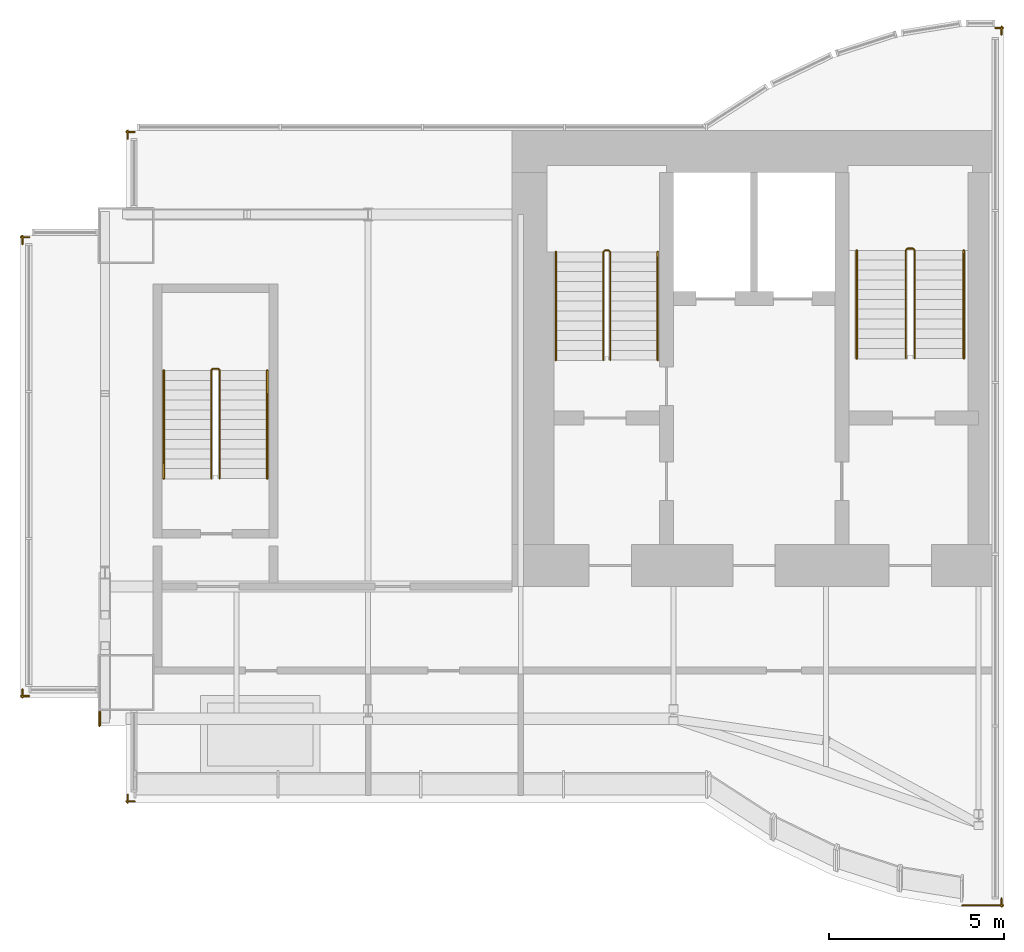
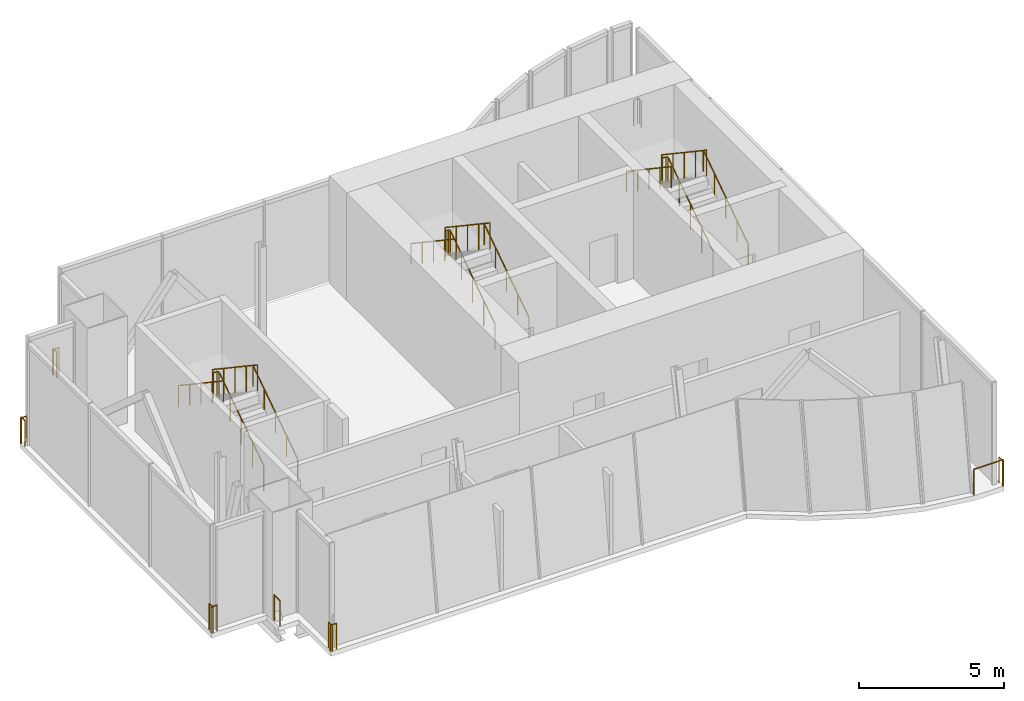
# One storey, part 5 of 6: 16 railings.
"""IFC4 building model written with IfcOpenShell, lengths in metres."""

from ifc_helpers import new_model, si_unit, direction, frame, origin, origin_2d, place, context, subcontext, project, spatial, circle, extrude, material, type_object, element, save


model = new_model("IFC4")

# Units and contexts
model_context = context("Model", 3, precision=1e-05, world=origin(), true_north=direction((0.0, 1.0)))
body_context = subcontext(model_context, "Body", "Model", "MODEL_VIEW")
ifc_project = project(units=[si_unit("LENGTHUNIT", "METRE"), si_unit("AREAUNIT", "SQUARE_METRE"), si_unit("VOLUMEUNIT", "CUBIC_METRE"), si_unit("PLANEANGLEUNIT", "RADIAN"), si_unit("MASSUNIT", "GRAM", prefix="KILO")], contexts=[model_context])

# Site, building, storey
site_placement = place(None, origin())
site = spatial("IfcSite", under=ifc_project, at=site_placement, CompositionType="ELEMENT")
building_placement = place(site_placement, origin())
building = spatial("IfcBuilding", under=site, at=building_placement, Name="Bicima Exchange Tower", CompositionType="ELEMENT")
storey_placement = place(building_placement, frame((0.0, 0.0, 374.89990234375)))
storey = spatial("IfcBuildingStorey", under=building, at=storey_placement, Name="L84", CompositionType="ELEMENT", Elevation=374.89990234375)

# Railings
ifc_material_1 = material(Name="Stainless steel and bonded safety glass", Category="steel")
railing_type_1 = type_object("IfcRailingType", Name="Edge guard 1100", PredefinedType="GUARDRAIL", material=ifc_material_1)
railing_1_placement = place(storey_placement, frame((-35.756103515625, -16.123046875, 0.0)))
element("IfcRailing", 1, at=railing_1_placement, inside=storey, type_object=railing_type_1, Name="Edge guard L84 466", PredefinedType="GUARDRAIL", context=body_context, shape_type="SweptSolid", body=[
    extrude(circle(Radius=0.02392578125, at=origin_2d()), frame((0.0, 0.0, 1.076171875), z_axis=(-1.0, 0.0, 0.0), x_axis=(0.0, -1.0, 0.0)), (0.0, 0.0, 1.0), 0.243896484375),
    extrude(circle(Radius=0.02392578125, at=origin_2d()), frame((-0.243896484375, 0.0, 1.076171875), z_axis=(0.707106781187, -0.707106781187, 0.0), x_axis=(0.707106781187, 0.707106781187, 0.0)), (0.0, 0.0, 1.0), 0.07080078125),
    extrude(circle(Radius=0.02392578125, at=origin_2d()), frame((-0.19384765625, -0.050048828125, 1.076171875), z_axis=(0.0, 1.0, 0.0), x_axis=(-1.0, 0.0, 0.0)), (0.0, 0.0, 1.0), 0.248046875),
    extrude(circle(Radius=0.02099609375, at=origin_2d()), origin(), (0.0, 0.0, 1.0), 1.052001953125),
    extrude(circle(Radius=0.02099609375, at=origin_2d()), frame((-0.243896484375, 0.0, 0.0)), (0.0, 0.0, 1.0), 1.052001953125),
    extrude(circle(Radius=0.02099609375, at=origin_2d()), frame((-0.19384765625, -0.050048828125, 0.0)), (0.0, 0.0, 1.0), 1.052001953125),
    extrude(circle(Radius=0.02099609375, at=origin_2d()), frame((-0.19384765625, 0.197998046875, 0.0)), (0.0, 0.0, 1.0), 1.052001953125),
])
railing_2_placement = place(storey_placement, frame((-35.949951171875, -3.2490234375, 0.0)))
element("IfcRailing", 2, at=railing_2_placement, inside=storey, type_object=railing_type_1, Name="Edge guard L84 467", PredefinedType="GUARDRAIL", context=body_context, shape_type="SweptSolid", body=[
    extrude(circle(Radius=0.02392578125, at=origin_2d()), frame((0.0, 0.0, 1.076171875), z_axis=(0.0, 1.0, 0.0), x_axis=(-1.0, 0.0, 0.0)), (0.0, 0.0, 1.0), 0.2490234375),
    extrude(circle(Radius=0.02392578125, at=origin_2d()), frame((0.0, 0.2490234375, 1.076171875), z_axis=(-0.707106781187, -0.707106781187, 0.0), x_axis=(0.707106781187, -0.707106781187, 0.0)), (0.0, 0.0, 1.0), 0.07080078125),
    extrude(circle(Radius=0.02392578125, at=origin_2d()), frame((-0.050048828125, 0.198974609375, 1.076171875), z_axis=(1.0, 0.0, 0.0), x_axis=(0.0, 1.0, 0.0)), (0.0, 0.0, 1.0), 0.243896484375),
    extrude(circle(Radius=0.02099609375, at=origin_2d()), origin(), (0.0, 0.0, 1.0), 1.052001953125),
    extrude(circle(Radius=0.02099609375, at=origin_2d()), frame((0.0, 0.2490234375, 0.0)), (0.0, 0.0, 1.0), 1.052001953125),
    extrude(circle(Radius=0.02099609375, at=origin_2d()), frame((-0.050048828125, 0.198974609375, 0.0)), (0.0, 0.0, 1.0), 1.052001953125),
    extrude(circle(Radius=0.02099609375, at=origin_2d()), frame((0.19384765625, 0.198974609375, 0.0)), (0.0, 0.0, 1.0), 1.052001953125),
])
railing_3_placement = place(storey_placement, frame((-32.949951171875, -0.243896484375, 0.0)))
element("IfcRailing", 3, at=railing_3_placement, inside=storey, type_object=railing_type_1, Name="Edge guard L84 468", PredefinedType="GUARDRAIL", context=body_context, shape_type="SweptSolid", body=[
    extrude(circle(Radius=0.02392578125, at=origin_2d()), frame((0.0, 0.0, 1.076171875), z_axis=(0.0, 1.0, 0.0), x_axis=(-1.0, 0.0, 0.0)), (0.0, 0.0, 1.0), 0.243896484375),
    extrude(circle(Radius=0.02392578125, at=origin_2d()), frame((0.0, 0.243896484375, 1.076171875), z_axis=(-0.707106781187, -0.707106781187, 0.0), x_axis=(0.707106781187, -0.707106781187, 0.0)), (0.0, 0.0, 1.0), 0.07080078125),
    extrude(circle(Radius=0.02392578125, at=origin_2d()), frame((-0.050048828125, 0.19384765625, 1.076171875), z_axis=(1.0, 0.0, 0.0), x_axis=(0.0, 1.0, 0.0)), (0.0, 0.0, 1.0), 0.25),
    extrude(circle(Radius=0.02099609375, at=origin_2d()), origin(), (0.0, 0.0, 1.0), 1.052001953125),
    extrude(circle(Radius=0.02099609375, at=origin_2d()), frame((0.0, 0.243896484375, 0.0)), (0.0, 0.0, 1.0), 1.052001953125),
    extrude(circle(Radius=0.02099609375, at=origin_2d()), frame((-0.050048828125, 0.19384765625, 0.0)), (0.0, 0.0, 1.0), 1.052001953125),
    extrude(circle(Radius=0.02099609375, at=origin_2d()), frame((0.199951171875, 0.19384765625, 0.0)), (0.0, 0.0, 1.0), 1.052001953125),
])
railing_4_placement = place(storey_placement, frame((-8.23291015625, 2.9130859375, 0.0)))
element("IfcRailing", 4, at=railing_4_placement, inside=storey, type_object=railing_type_1, Name="Edge guard L84 469", PredefinedType="GUARDRAIL", context=body_context, shape_type="SweptSolid", body=[
    extrude(circle(Radius=0.02392578125, at=origin_2d()), frame((0.0, 0.0, 1.076171875), z_axis=(1.0, 0.0, 0.0), x_axis=(0.0, 1.0, 0.0)), (0.0, 0.0, 1.0), 0.23291015625),
    extrude(circle(Radius=0.02392578125, at=origin_2d()), frame((0.23291015625, 0.0, 1.076171875), z_axis=(-0.708833529934, 0.705375805398, 0.0), x_axis=(-0.705375805398, -0.708833529934, 0.0)), (0.0, 0.0, 1.0), 0.070556640625),
    extrude(circle(Radius=0.02392578125, at=origin_2d()), frame((0.182861328125, 0.0498046875, 1.076171875), z_axis=(0.0, -1.0, 0.0), x_axis=(1.0, 0.0, 0.0)), (0.0, 0.0, 1.0), 0.248779296875),
    extrude(circle(Radius=0.02099609375, at=origin_2d()), origin(), (0.0, 0.0, 1.0), 1.052001953125),
    extrude(circle(Radius=0.02099609375, at=origin_2d()), frame((0.23291015625, 0.0, 0.0)), (0.0, 0.0, 1.0), 1.052001953125),
    extrude(circle(Radius=0.02099609375, at=origin_2d()), frame((0.182861328125, 0.0498046875, 0.0)), (0.0, 0.0, 1.0), 1.052001953125),
    extrude(circle(Radius=0.02099609375, at=origin_2d()), frame((0.182861328125, -0.198974609375, 0.0)), (0.0, 0.0, 1.0), 1.052001953125),
])
railing_5_placement = place(storey_placement, frame((-8.050048828125, -21.887939453125, 0.0)))
element("IfcRailing", 5, at=railing_5_placement, inside=storey, type_object=railing_type_1, Name="Edge guard L84 470", PredefinedType="GUARDRAIL", context=body_context, shape_type="SweptSolid", body=[
    extrude(circle(Radius=0.02392578125, at=origin_2d()), frame((0.0, 0.0, 1.076171875), z_axis=(0.0, -1.0, 0.0), x_axis=(1.0, 0.0, 0.0)), (0.0, 0.0, 1.0), 0.248046875),
    extrude(circle(Radius=0.02392578125, at=origin_2d()), frame((0.0, -0.248046875, 1.076171875), z_axis=(0.707106781187, 0.707106781187, 0.0), x_axis=(-0.707106781187, 0.707106781187, 0.0)), (0.0, 0.0, 1.0), 0.07080078125),
    extrude(circle(Radius=0.02392578125, at=origin_2d()), frame((0.050048828125, -0.197998046875, 1.076171875), z_axis=(-1.0, 0.0, 0.0), x_axis=(0.0, -1.0, 0.0)), (0.0, 0.0, 1.0), 1.1669921875),
    extrude(circle(Radius=0.02099609375, at=origin_2d()), origin(), (0.0, 0.0, 1.0), 1.052001953125),
    extrude(circle(Radius=0.02099609375, at=origin_2d()), frame((0.0, -0.248046875, 0.0)), (0.0, 0.0, 1.0), 1.052001953125),
    extrude(circle(Radius=0.02099609375, at=origin_2d()), frame((0.050048828125, -0.197998046875, 0.0)), (0.0, 0.0, 1.0), 1.052001953125),
    extrude(circle(Radius=0.02099609375, at=origin_2d()), frame((-1.116943359375, -0.197998046875, 0.0)), (0.0, 0.0, 1.0), 1.052001953125),
])
railing_6_placement = place(storey_placement, frame((-32.75, -19.123046875, 0.0)))
element("IfcRailing", 6, at=railing_6_placement, inside=storey, type_object=railing_type_1, Name="Edge guard L84 471", PredefinedType="GUARDRAIL", context=body_context, shape_type="SweptSolid", body=[
    extrude(circle(Radius=0.02392578125, at=origin_2d()), frame((0.0, 0.0, 1.076171875), z_axis=(-1.0, 0.0, 0.0), x_axis=(0.0, -1.0, 0.0)), (0.0, 0.0, 1.0), 0.25),
    extrude(circle(Radius=0.02392578125, at=origin_2d()), frame((-0.25, 0.0, 1.076171875), z_axis=(0.707106781187, -0.707106781187, 0.0), x_axis=(0.707106781187, 0.707106781187, 0.0)), (0.0, 0.0, 1.0), 0.07080078125),
    extrude(circle(Radius=0.02392578125, at=origin_2d()), frame((-0.199951171875, -0.050048828125, 1.076171875), z_axis=(0.0, 1.0, 0.0), x_axis=(-1.0, 0.0, 0.0)), (0.0, 0.0, 1.0), 0.244140625),
    extrude(circle(Radius=0.02099609375, at=origin_2d()), origin(), (0.0, 0.0, 1.0), 1.052001953125),
    extrude(circle(Radius=0.02099609375, at=origin_2d()), frame((-0.25, 0.0, 0.0)), (0.0, 0.0, 1.0), 1.052001953125),
    extrude(circle(Radius=0.02099609375, at=origin_2d()), frame((-0.199951171875, -0.050048828125, 0.0)), (0.0, 0.0, 1.0), 1.052001953125),
    extrude(circle(Radius=0.02099609375, at=origin_2d()), frame((-0.199951171875, 0.194091796875, 0.0)), (0.0, 0.0, 1.0), 1.052001953125),
])
railing_7_placement = place(storey_placement, frame((-33.75, -16.972900390625, 0.0)))
element("IfcRailing", 7, at=railing_7_placement, inside=storey, type_object=railing_type_1, Name="Edge guard L84 472", PredefinedType="GUARDRAIL", context=body_context, shape_type="SweptSolid", body=[
    extrude(circle(Radius=0.02392578125, at=origin_2d()), frame((0.0, 0.0, 1.076171875), z_axis=(0.0, 1.0, 0.0), x_axis=(-1.0, 0.0, 0.0)), (0.0, 0.0, 1.0), 0.39990234375),
    extrude(circle(Radius=0.02099609375, at=origin_2d()), origin(), (0.0, 0.0, 1.0), 1.052001953125),
    extrude(circle(Radius=0.02099609375, at=origin_2d()), frame((0.0, 0.39990234375, 0.0)), (0.0, 0.0, 1.0), 1.052001953125),
])
ifc_material_2 = material(Name="Stainless steel", Category="steel")
railing_type_2 = type_object("IfcRailingType", Name="Stair guard 1100", PredefinedType="GUARDRAIL", material=ifc_material_2)
railing_8_placement = place(storey_placement, frame((-19.199951171875, -6.550048828125, 0.1875)))
element("IfcRailing", 8, at=railing_8_placement, inside=storey, type_object=railing_type_2, Name="L84 ST-W stair guard 1", PredefinedType="GUARDRAIL", context=body_context, shape_type="SweptSolid", body=[
    extrude(circle(Radius=0.02392578125, at=origin_2d()), frame((0.0, 0.0, 1.076171875), z_axis=(0.0, 0.830913701846, 0.55640131208), x_axis=(-1.0, 0.0, 0.0)), (0.0, 0.0, 1.0), 3.706787109375),
    extrude(circle(Radius=0.02392578125, at=origin_2d()), frame((0.0, 3.080078125, 3.138671875), z_axis=(-0.707106781187, 0.707106781187, 0.0), x_axis=(-0.707106781187, -0.707106781187, 0.0)), (0.0, 0.0, 1.0), 0.07080078125),
    extrude(circle(Radius=0.02392578125, at=origin_2d()), frame((-0.050048828125, 3.130126953125, 3.138671875), z_axis=(-1.0, 0.0, 0.0), x_axis=(0.0, -1.0, 0.0)), (0.0, 0.0, 1.0), 0.10009765625),
    extrude(circle(Radius=0.02392578125, at=origin_2d()), frame((-0.150146484375, 3.130126953125, 3.138671875), z_axis=(-0.248583702486, -0.249802250048, 0.935844527007), x_axis=(0.708833529934, -0.705375805398, 0.0)), (0.0, 0.0, 1.0), 0.200439453125),
    extrude(circle(Radius=0.02392578125, at=origin_2d()), frame((-0.199951171875, 3.080078125, 3.326171875), z_axis=(0.0, -0.830913701846, 0.55640131208), x_axis=(1.0, 0.0, 0.0)), (0.0, 0.0, 1.0), 3.706787109375),
    extrude(circle(Radius=0.02099609375, at=origin_2d()), origin(), (0.0, 0.0, 1.0), 1.052001953125),
    extrude(circle(Radius=0.02099609375, at=origin_2d()), frame((0.0, 0.77001953125, 0.515625)), (0.0, 0.0, 1.0), 1.052001953125),
    extrude(circle(Radius=0.02099609375, at=origin_2d()), frame((0.0, 1.5400390625, 1.03125)), (0.0, 0.0, 1.0), 1.052001953125),
    extrude(circle(Radius=0.02099609375, at=origin_2d()), frame((0.0, 2.31005859375, 1.546875)), (0.0, 0.0, 1.0), 1.052001953125),
    extrude(circle(Radius=0.02099609375, at=origin_2d()), frame((0.0, 3.080078125, 2.0625)), (0.0, 0.0, 1.0), 1.052001953125),
    extrude(circle(Radius=0.02099609375, at=origin_2d()), frame((-0.050048828125, 3.130126953125, 2.0625)), (0.0, 0.0, 1.0), 1.052001953125),
    extrude(circle(Radius=0.02099609375, at=origin_2d()), frame((-0.150146484375, 3.130126953125, 2.0625)), (0.0, 0.0, 1.0), 1.052001953125),
    extrude(circle(Radius=0.02099609375, at=origin_2d()), frame((-0.199951171875, 3.080078125, 2.25)), (0.0, 0.0, 1.0), 1.052001953125),
    extrude(circle(Radius=0.02099609375, at=origin_2d()), frame((-0.199951171875, 2.31005859375, 2.765625)), (0.0, 0.0, 1.0), 1.052001953125),
    extrude(circle(Radius=0.02099609375, at=origin_2d()), frame((-0.199951171875, 1.5400390625, 3.28125)), (0.0, 0.0, 1.0), 1.052001953125),
    extrude(circle(Radius=0.02099609375, at=origin_2d()), frame((-0.199951171875, 0.77001953125, 3.796875)), (0.0, 0.0, 1.0), 1.052001953125),
    extrude(circle(Radius=0.02099609375, at=origin_2d()), frame((-0.199951171875, 0.0, 4.3125)), (0.0, 0.0, 1.0), 1.052001953125),
])
railing_9_placement = place(storey_placement, frame((-10.52490234375, -6.5, 0.1875)))
element("IfcRailing", 9, at=railing_9_placement, inside=storey, type_object=railing_type_2, Name="L84 ST-CR stair guard 1", PredefinedType="GUARDRAIL", context=body_context, shape_type="SweptSolid", body=[
    extrude(circle(Radius=0.02392578125, at=origin_2d()), frame((0.0, 0.0, 1.076171875), z_axis=(0.0, 0.830913701846, 0.55640131208), x_axis=(-1.0, 0.0, 0.0)), (0.0, 0.0, 1.0), 3.706787109375),
    extrude(circle(Radius=0.02392578125, at=origin_2d()), frame((0.0, 3.080078125, 3.138671875), z_axis=(-0.708833529934, 0.705375805398, 0.0), x_axis=(-0.705375805398, -0.708833529934, 0.0)), (0.0, 0.0, 1.0), 0.070556640625),
    extrude(circle(Radius=0.02392578125, at=origin_2d()), frame((-0.050048828125, 3.1298828125, 3.138671875), z_axis=(-1.0, 0.0, 0.0), x_axis=(0.0, -1.0, 0.0)), (0.0, 0.0, 1.0), 0.150146484375),
    extrude(circle(Radius=0.02392578125, at=origin_2d()), frame((-0.2001953125, 3.1298828125, 3.138671875), z_axis=(-0.248659220195, -0.248659220195, 0.936128828968), x_axis=(0.707106781187, -0.707106781187, 0.0)), (0.0, 0.0, 1.0), 0.2001953125),
    extrude(circle(Radius=0.02392578125, at=origin_2d()), frame((-0.25, 3.080078125, 3.326171875), z_axis=(0.0, -0.830913701846, 0.55640131208), x_axis=(1.0, 0.0, 0.0)), (0.0, 0.0, 1.0), 3.706787109375),
    extrude(circle(Radius=0.02099609375, at=origin_2d()), origin(), (0.0, 0.0, 1.0), 1.052001953125),
    extrude(circle(Radius=0.02099609375, at=origin_2d()), frame((0.0, 0.77001953125, 0.515625)), (0.0, 0.0, 1.0), 1.052001953125),
    extrude(circle(Radius=0.02099609375, at=origin_2d()), frame((0.0, 1.5400390625, 1.03125)), (0.0, 0.0, 1.0), 1.052001953125),
    extrude(circle(Radius=0.02099609375, at=origin_2d()), frame((0.0, 2.31005859375, 1.546875)), (0.0, 0.0, 1.0), 1.052001953125),
    extrude(circle(Radius=0.02099609375, at=origin_2d()), frame((0.0, 3.080078125, 2.0625)), (0.0, 0.0, 1.0), 1.052001953125),
    extrude(circle(Radius=0.02099609375, at=origin_2d()), frame((-0.050048828125, 3.1298828125, 2.0625)), (0.0, 0.0, 1.0), 1.052001953125),
    extrude(circle(Radius=0.02099609375, at=origin_2d()), frame((-0.2001953125, 3.1298828125, 2.0625)), (0.0, 0.0, 1.0), 1.052001953125),
    extrude(circle(Radius=0.02099609375, at=origin_2d()), frame((-0.25, 3.080078125, 2.25)), (0.0, 0.0, 1.0), 1.052001953125),
    extrude(circle(Radius=0.02099609375, at=origin_2d()), frame((-0.25, 2.31005859375, 2.765625)), (0.0, 0.0, 1.0), 1.052001953125),
    extrude(circle(Radius=0.02099609375, at=origin_2d()), frame((-0.25, 1.5400390625, 3.28125)), (0.0, 0.0, 1.0), 1.052001953125),
    extrude(circle(Radius=0.02099609375, at=origin_2d()), frame((-0.25, 0.77001953125, 3.796875)), (0.0, 0.0, 1.0), 1.052001953125),
    extrude(circle(Radius=0.02099609375, at=origin_2d()), frame((-0.25, 0.0, 4.3125)), (0.0, 0.0, 1.0), 1.052001953125),
])
railing_10_placement = place(storey_placement, frame((-30.324951171875, -9.925048828125, 0.1875)))
element("IfcRailing", 10, at=railing_10_placement, inside=storey, type_object=railing_type_2, Name="L84 ST-WW stair guard 1", PredefinedType="GUARDRAIL", context=body_context, shape_type="SweptSolid", body=[
    extrude(circle(Radius=0.02392578125, at=origin_2d()), frame((0.0, 0.0, 1.076171875), z_axis=(0.0, 0.830913701846, 0.55640131208), x_axis=(-1.0, 0.0, 0.0)), (0.0, 0.0, 1.0), 3.706787109375),
    extrude(circle(Radius=0.02392578125, at=origin_2d()), frame((0.0, 3.080078125, 3.138671875), z_axis=(-0.707106781187, 0.707106781187, 0.0), x_axis=(-0.707106781187, -0.707106781187, 0.0)), (0.0, 0.0, 1.0), 0.07080078125),
    extrude(circle(Radius=0.02392578125, at=origin_2d()), frame((-0.050048828125, 3.130126953125, 3.138671875), z_axis=(-1.0, 0.0, 0.0), x_axis=(0.0, -1.0, 0.0)), (0.0, 0.0, 1.0), 0.14990234375),
    extrude(circle(Radius=0.02392578125, at=origin_2d()), frame((-0.199951171875, 3.130126953125, 3.138671875), z_axis=(-0.249726431254, -0.249726431254, 0.935560483917), x_axis=(0.707106781187, -0.707106781187, 0.0)), (0.0, 0.0, 1.0), 0.200439453125),
    extrude(circle(Radius=0.02392578125, at=origin_2d()), frame((-0.25, 3.080078125, 3.326171875), z_axis=(0.0, -0.830913701846, 0.55640131208), x_axis=(1.0, 0.0, 0.0)), (0.0, 0.0, 1.0), 3.706787109375),
    extrude(circle(Radius=0.02099609375, at=origin_2d()), origin(), (0.0, 0.0, 1.0), 1.052001953125),
    extrude(circle(Radius=0.02099609375, at=origin_2d()), frame((0.0, 0.77001953125, 0.515625)), (0.0, 0.0, 1.0), 1.052001953125),
    extrude(circle(Radius=0.02099609375, at=origin_2d()), frame((0.0, 1.5400390625, 1.03125)), (0.0, 0.0, 1.0), 1.052001953125),
    extrude(circle(Radius=0.02099609375, at=origin_2d()), frame((0.0, 2.31005859375, 1.546875)), (0.0, 0.0, 1.0), 1.052001953125),
    extrude(circle(Radius=0.02099609375, at=origin_2d()), frame((0.0, 3.080078125, 2.0625)), (0.0, 0.0, 1.0), 1.052001953125),
    extrude(circle(Radius=0.02099609375, at=origin_2d()), frame((-0.050048828125, 3.130126953125, 2.0625)), (0.0, 0.0, 1.0), 1.052001953125),
    extrude(circle(Radius=0.02099609375, at=origin_2d()), frame((-0.199951171875, 3.130126953125, 2.0625)), (0.0, 0.0, 1.0), 1.052001953125),
    extrude(circle(Radius=0.02099609375, at=origin_2d()), frame((-0.25, 3.080078125, 2.25)), (0.0, 0.0, 1.0), 1.052001953125),
    extrude(circle(Radius=0.02099609375, at=origin_2d()), frame((-0.25, 2.31005859375, 2.765625)), (0.0, 0.0, 1.0), 1.052001953125),
    extrude(circle(Radius=0.02099609375, at=origin_2d()), frame((-0.25, 1.5400390625, 3.28125)), (0.0, 0.0, 1.0), 1.052001953125),
    extrude(circle(Radius=0.02099609375, at=origin_2d()), frame((-0.25, 0.77001953125, 3.796875)), (0.0, 0.0, 1.0), 1.052001953125),
    extrude(circle(Radius=0.02099609375, at=origin_2d()), frame((-0.25, 0.0, 4.3125)), (0.0, 0.0, 1.0), 1.052001953125),
])
railing_type_3 = type_object("IfcRailingType", Name="Stair handrail 900", PredefinedType="HANDRAIL", material=ifc_material_2)
railing_11_placement = place(storey_placement, frame((-17.85009765625, -6.550048828125, 0.1875)))
element("IfcRailing", 11, at=railing_11_placement, inside=storey, type_object=railing_type_3, Name="L84 ST-W stair handrail 1", PredefinedType="HANDRAIL", context=body_context, shape_type="SweptSolid", body=[
    extrude(circle(Radius=0.02392578125, at=origin_2d()), frame((0.0, 0.0, 0.8759765625), z_axis=(0.0, 0.830913701846, 0.55640131208), x_axis=(-1.0, 0.0, 0.0)), (0.0, 0.0, 1.0), 3.706787109375),
    extrude(circle(Radius=0.02099609375, at=origin_2d()), origin(), (0.0, 0.0, 1.0), 0.851806640625),
    extrude(circle(Radius=0.02099609375, at=origin_2d()), frame((0.0, 0.77001953125, 0.515625)), (0.0, 0.0, 1.0), 0.851806640625),
    extrude(circle(Radius=0.02099609375, at=origin_2d()), frame((0.0, 1.5400390625, 1.03125)), (0.0, 0.0, 1.0), 0.851806640625),
    extrude(circle(Radius=0.02099609375, at=origin_2d()), frame((0.0, 2.31005859375, 1.546875)), (0.0, 0.0, 1.0), 0.851806640625),
    extrude(circle(Radius=0.02099609375, at=origin_2d()), frame((0.0, 3.080078125, 2.0625)), (0.0, 0.0, 1.0), 0.851806640625),
])
railing_12_placement = place(storey_placement, frame((-20.75, -3.469970703125, 2.4375)))
element("IfcRailing", 12, at=railing_12_placement, inside=storey, type_object=railing_type_3, Name="L84 ST-W stair handrail 2", PredefinedType="HANDRAIL", context=body_context, shape_type="SweptSolid", body=[
    extrude(circle(Radius=0.02392578125, at=origin_2d()), frame((0.0, 0.0, 0.8759765625), z_axis=(0.0, -0.830913701846, 0.55640131208), x_axis=(1.0, 0.0, 0.0)), (0.0, 0.0, 1.0), 3.706787109375),
    extrude(circle(Radius=0.02099609375, at=origin_2d()), origin(), (0.0, 0.0, 1.0), 0.851806640625),
    extrude(circle(Radius=0.02099609375, at=origin_2d()), frame((0.0, -0.77001953125, 0.515625)), (0.0, 0.0, 1.0), 0.851806640625),
    extrude(circle(Radius=0.02099609375, at=origin_2d()), frame((0.0, -1.5400390625, 1.03125)), (0.0, 0.0, 1.0), 0.851806640625),
    extrude(circle(Radius=0.02099609375, at=origin_2d()), frame((0.0, -2.31005859375, 1.546875)), (0.0, 0.0, 1.0), 0.851806640625),
    extrude(circle(Radius=0.02099609375, at=origin_2d()), frame((0.0, -3.080078125, 2.0625)), (0.0, 0.0, 1.0), 0.851806640625),
])
railing_13_placement = place(storey_placement, frame((-9.125, -6.5, 0.1875)))
element("IfcRailing", 13, at=railing_13_placement, inside=storey, type_object=railing_type_3, Name="L84 ST-CR stair handrail 1", PredefinedType="HANDRAIL", context=body_context, shape_type="SweptSolid", body=[
    extrude(circle(Radius=0.02392578125, at=origin_2d()), frame((0.0, 0.0, 0.8759765625), z_axis=(0.0, 0.830913701846, 0.55640131208), x_axis=(-1.0, 0.0, 0.0)), (0.0, 0.0, 1.0), 3.706787109375),
    extrude(circle(Radius=0.02099609375, at=origin_2d()), origin(), (0.0, 0.0, 1.0), 0.851806640625),
    extrude(circle(Radius=0.02099609375, at=origin_2d()), frame((0.0, 0.77001953125, 0.515625)), (0.0, 0.0, 1.0), 0.851806640625),
    extrude(circle(Radius=0.02099609375, at=origin_2d()), frame((0.0, 1.5400390625, 1.03125)), (0.0, 0.0, 1.0), 0.851806640625),
    extrude(circle(Radius=0.02099609375, at=origin_2d()), frame((0.0, 2.31005859375, 1.546875)), (0.0, 0.0, 1.0), 0.851806640625),
    extrude(circle(Radius=0.02099609375, at=origin_2d()), frame((0.0, 3.080078125, 2.0625)), (0.0, 0.0, 1.0), 0.851806640625),
])
railing_14_placement = place(storey_placement, frame((-12.175048828125, -3.419921875, 2.4375)))
element("IfcRailing", 14, at=railing_14_placement, inside=storey, type_object=railing_type_3, Name="L84 ST-CR stair handrail 2", PredefinedType="HANDRAIL", context=body_context, shape_type="SweptSolid", body=[
    extrude(circle(Radius=0.02392578125, at=origin_2d()), frame((0.0, 0.0, 0.8759765625), z_axis=(0.0, -0.830913701846, 0.55640131208), x_axis=(1.0, 0.0, 0.0)), (0.0, 0.0, 1.0), 3.706787109375),
    extrude(circle(Radius=0.02099609375, at=origin_2d()), origin(), (0.0, 0.0, 1.0), 0.851806640625),
    extrude(circle(Radius=0.02099609375, at=origin_2d()), frame((0.0, -0.77001953125, 0.515625)), (0.0, 0.0, 1.0), 0.851806640625),
    extrude(circle(Radius=0.02099609375, at=origin_2d()), frame((0.0, -1.5400390625, 1.03125)), (0.0, 0.0, 1.0), 0.851806640625),
    extrude(circle(Radius=0.02099609375, at=origin_2d()), frame((0.0, -2.31005859375, 1.546875)), (0.0, 0.0, 1.0), 0.851806640625),
    extrude(circle(Radius=0.02099609375, at=origin_2d()), frame((0.0, -3.080078125, 2.0625)), (0.0, 0.0, 1.0), 0.851806640625),
])
railing_15_placement = place(storey_placement, frame((-28.97509765625, -9.925048828125, 0.1875)))
element("IfcRailing", 15, at=railing_15_placement, inside=storey, type_object=railing_type_3, Name="L84 ST-WW stair handrail 1", PredefinedType="HANDRAIL", context=body_context, shape_type="SweptSolid", body=[
    extrude(circle(Radius=0.02392578125, at=origin_2d()), frame((0.0, 0.0, 0.8759765625), z_axis=(0.0, 0.830913701846, 0.55640131208), x_axis=(-1.0, 0.0, 0.0)), (0.0, 0.0, 1.0), 3.706787109375),
    extrude(circle(Radius=0.02099609375, at=origin_2d()), origin(), (0.0, 0.0, 1.0), 0.851806640625),
    extrude(circle(Radius=0.02099609375, at=origin_2d()), frame((0.0, 0.77001953125, 0.515625)), (0.0, 0.0, 1.0), 0.851806640625),
    extrude(circle(Radius=0.02099609375, at=origin_2d()), frame((0.0, 1.5400390625, 1.03125)), (0.0, 0.0, 1.0), 0.851806640625),
    extrude(circle(Radius=0.02099609375, at=origin_2d()), frame((0.0, 2.31005859375, 1.546875)), (0.0, 0.0, 1.0), 0.851806640625),
    extrude(circle(Radius=0.02099609375, at=origin_2d()), frame((0.0, 3.080078125, 2.0625)), (0.0, 0.0, 1.0), 0.851806640625),
])
railing_16_placement = place(storey_placement, frame((-31.925048828125, -6.844970703125, 2.4375)))
element("IfcRailing", 16, at=railing_16_placement, inside=storey, type_object=railing_type_3, Name="L84 ST-WW stair handrail 2", PredefinedType="HANDRAIL", context=body_context, shape_type="SweptSolid", body=[
    extrude(circle(Radius=0.02392578125, at=origin_2d()), frame((0.0, 0.0, 0.8759765625), z_axis=(0.0, -0.830913701846, 0.55640131208), x_axis=(1.0, 0.0, 0.0)), (0.0, 0.0, 1.0), 3.706787109375),
    extrude(circle(Radius=0.02099609375, at=origin_2d()), origin(), (0.0, 0.0, 1.0), 0.851806640625),
    extrude(circle(Radius=0.02099609375, at=origin_2d()), frame((0.0, -0.77001953125, 0.515625)), (0.0, 0.0, 1.0), 0.851806640625),
    extrude(circle(Radius=0.02099609375, at=origin_2d()), frame((0.0, -1.5400390625, 1.03125)), (0.0, 0.0, 1.0), 0.851806640625),
    extrude(circle(Radius=0.02099609375, at=origin_2d()), frame((0.0, -2.31005859375, 1.546875)), (0.0, 0.0, 1.0), 0.851806640625),
    extrude(circle(Radius=0.02099609375, at=origin_2d()), frame((0.0, -3.080078125, 2.0625)), (0.0, 0.0, 1.0), 0.851806640625),
])

save(model, "model.ifc")
